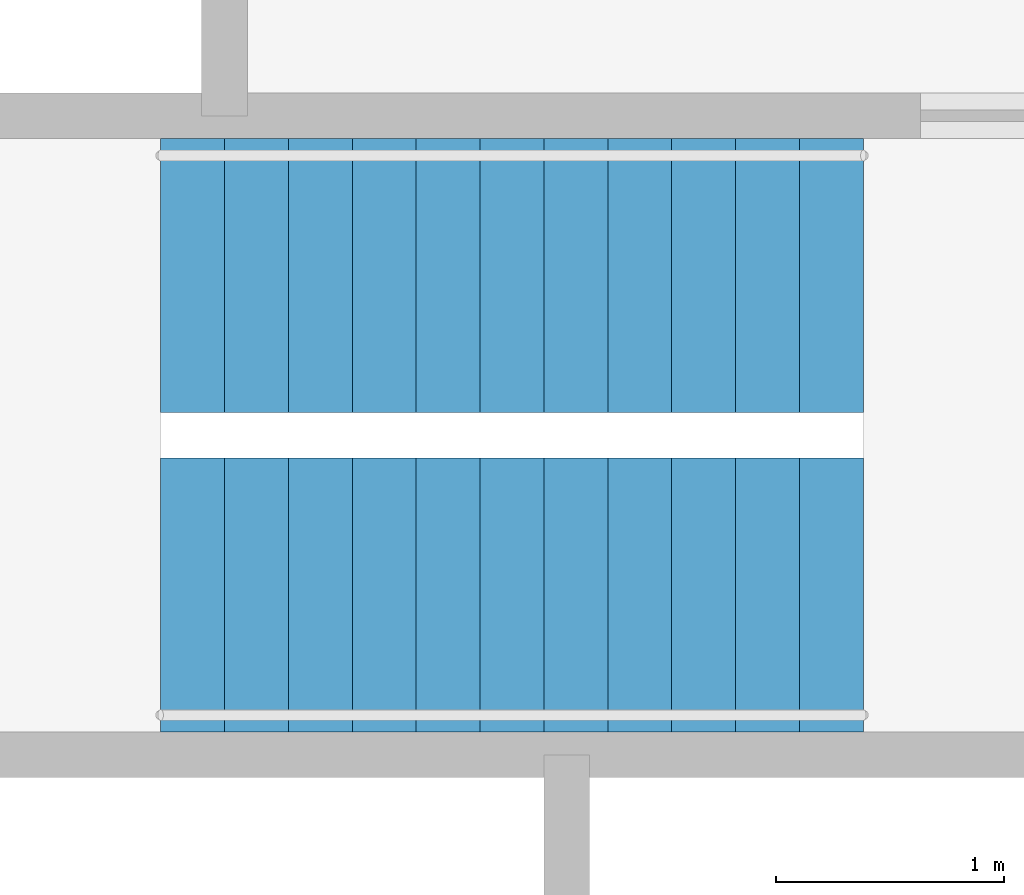
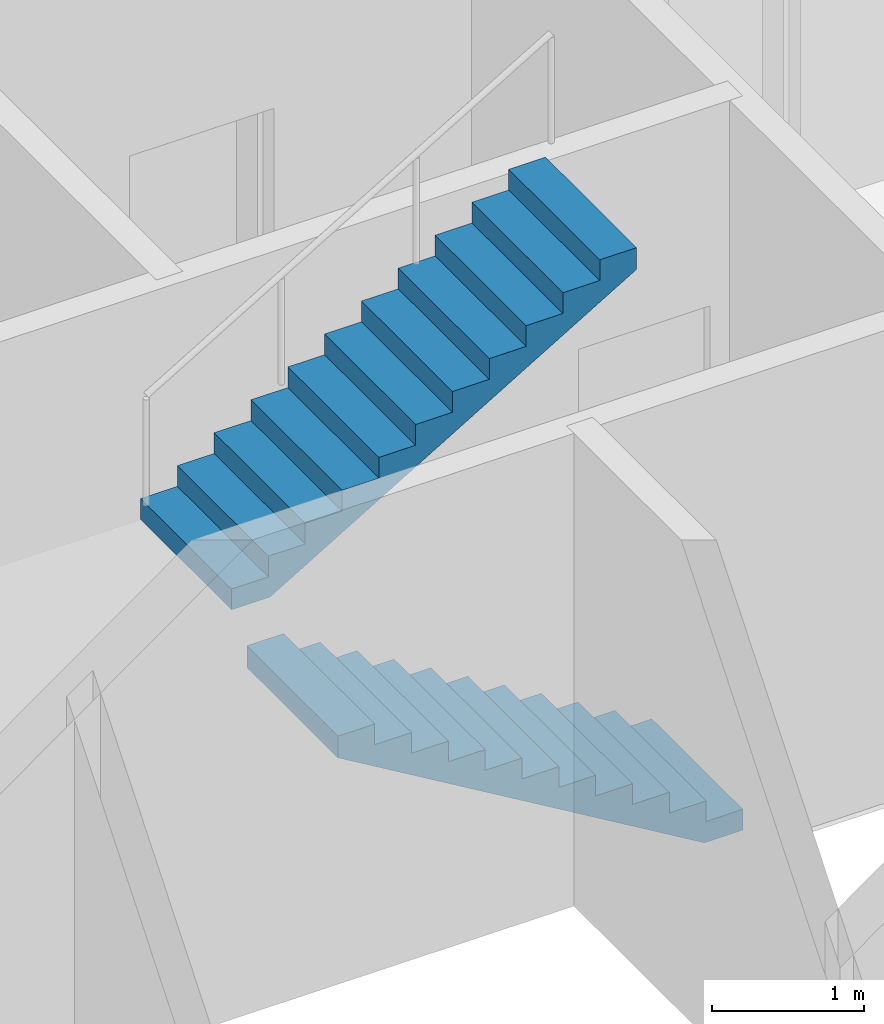
# One storey, part 12 of 14: 2 stair flights, 1 element without a shape of its own.
"""IFC4 building model written with IfcOpenShell, lengths in metres."""

import ifcopenshell
import ifcopenshell.guid

model = None  # the IFC model being written
_history = None  # IfcOwnerHistory: only IFC2X3 demands one
_inside = {}  # id of a spatial element -> (the spatial element, [elements in it])
_under = {}  # id of a project, library or spatial element -> (it, [spatial elements below it])
_declared = {}  # id of a project -> (the project, [libraries it declares])
_typed = {}  # id of a type object -> (the type object, [elements of that type])
_made_of = {}  # id of a material, layer set ... -> (it, [elements and type objects made of it])


def new_model(schema):
    """Start an empty IFC model of exactly this schema.

    Asked for "IFC4X3", IfcOpenShell would pick the latest addendum, in which some entities
    have other attributes; the version numbers below select the first issue.
    IFC2X3 requires an IfcOwnerHistory on every rooted entity: one is made here for all.
    """
    global model, _history
    if schema == "IFC4X3":
        model = ifcopenshell.file(schema_version=(4, 3, 0, 0))
    else:
        model = ifcopenshell.file(schema=schema)
    _inside.clear()
    _under.clear()
    _declared.clear()
    _typed.clear()
    _made_of.clear()
    _history = None
    if model.schema == "IFC2X3":
        org = make("IfcOrganization", Name="unknown")
        user = make(
            "IfcPersonAndOrganization",
            ThePerson=make("IfcPerson", FamilyName="unknown"),
            TheOrganization=org,
        )
        app = make(
            "IfcApplication",
            ApplicationDeveloper=org,
            Version="unknown",
            ApplicationFullName="unknown",
            ApplicationIdentifier="unknown",
        )
        _history = make(
            "IfcOwnerHistory",
            OwningUser=user,
            OwningApplication=app,
            ChangeAction="ADDED",
            CreationDate=0,
        )
    return model


def make(cls, **values):
    """One entity of the class cls with the attributes given. An attribute that is None is left unset."""
    return model.create_entity(
        cls, **{name: value for name, value in values.items() if value is not None}
    )


def rooted(cls, **values):
    """An entity with a GlobalId (a new one), such as an element, a storey or a relation."""
    return make(cls, GlobalId=ifcopenshell.guid.new(), OwnerHistory=_history, **values)


def si_unit(unit_type, name, prefix=None):
    """IfcSIUnit, for example si_unit("LENGTHUNIT", "METRE", prefix="MILLI")."""
    return make("IfcSIUnit", UnitType=unit_type, Prefix=prefix, Name=name)


def assignment(units):
    """IfcUnitAssignment: the units of a project."""
    return None if units is None else make("IfcUnitAssignment", Units=units)


def point(xyz):
    """IfcCartesianPoint."""
    return None if xyz is None else make("IfcCartesianPoint", Coordinates=xyz)


def direction(xyz):
    """IfcDirection."""
    return None if xyz is None else make("IfcDirection", DirectionRatios=xyz)


def frame(location, z_axis=None, x_axis=None):
    """IfcAxis2Placement3D, a coordinate frame: its origin and axes. An axis left out is left unset."""
    return make(
        "IfcAxis2Placement3D",
        Location=point(location),
        Axis=direction(z_axis),
        RefDirection=direction(x_axis),
    )


def origin():
    """The frame at (0, 0, 0) with its axes left unset."""
    return frame((0.0, 0.0, 0.0))


def place(relative_to, where):
    """IfcLocalPlacement: puts the frame where relative to a parent placement (None: the world)."""
    return make(
        "IfcLocalPlacement", PlacementRelTo=relative_to, RelativePlacement=where
    )


def context(
    kind, dimensions, precision=None, world=None, true_north=None, identifier=None
):
    """IfcGeometricRepresentationContext, for example the 3D "Model" context."""
    return make(
        "IfcGeometricRepresentationContext",
        ContextIdentifier=identifier,
        ContextType=kind,
        CoordinateSpaceDimension=dimensions,
        Precision=precision,
        WorldCoordinateSystem=world,
        TrueNorth=true_north,
    )


def subcontext(parent, identifier, kind, view, scale=None):
    """IfcGeometricRepresentationSubContext, for example "Body" below "Model"."""
    return make(
        "IfcGeometricRepresentationSubContext",
        ContextIdentifier=identifier,
        ContextType=kind,
        ParentContext=parent,
        TargetScale=scale,
        TargetView=view,
    )


def project(units=None, contexts=None):
    """IfcProject with its units and contexts."""
    return rooted(
        "IfcProject",
        Name="project",
        RepresentationContexts=contexts,
        UnitsInContext=assignment(units),
    )


def spatial(cls, under=None, at=None, **own):
    """A site, building, storey or space (cls), placed at a placement, below another one or the project."""
    s = rooted(cls, ObjectPlacement=at, **own)
    if under is not None:
        _under.setdefault(under.id(), (under, []))[1].append(s)
    return s


def polyline(points):
    """IfcPolyline through the points."""
    return make("IfcPolyline", Points=[point(p) for p in points])


def outline(outer, holes=None, kind="AREA"):
    """IfcArbitraryClosedProfileDef: a profile drawn as a closed curve; with holes, ...WithVoids."""
    if holes is None:
        return make("IfcArbitraryClosedProfileDef", ProfileType=kind, OuterCurve=outer)
    return make(
        "IfcArbitraryProfileDefWithVoids",
        ProfileType=kind,
        OuterCurve=outer,
        InnerCurves=holes,
    )


def extrude(swept, where, along, depth):
    """IfcExtrudedAreaSolid: the profile swept, set in the frame where, extruded along a direction by depth."""
    return make(
        "IfcExtrudedAreaSolid",
        SweptArea=swept,
        Position=where,
        ExtrudedDirection=direction(along),
        Depth=depth,
    )


def shape(context_of_items, identifier, shape_type, items):
    """IfcShapeRepresentation: the items that make up one representation, for example the "Body"."""
    return make(
        "IfcShapeRepresentation",
        ContextOfItems=context_of_items,
        RepresentationIdentifier=identifier,
        RepresentationType=shape_type,
        Items=items,
    )


def material(Name=None, Category=None):
    """IfcMaterial."""
    return make("IfcMaterial", Name=Name, Category=Category)


def made_of(thing, what):
    """Note that an element or type object is made of a material, layer set ...; save() writes the relation."""
    if what is not None:
        _made_of.setdefault(what.id(), (what, []))[1].append(thing)
    return thing


def type_object(cls, material=None, **own):
    """A type object (cls), such as IfcWallType, which elements share."""
    return made_of(rooted(cls, **own), material)


def element(
    cls,
    number,
    at=None,
    inside=None,
    cuts=None,
    type_object=None,
    material=None,
    context=None,
    identifier="Body",
    shape_type=None,
    held_by="IfcProductDefinitionShape",
    body=None,
    shapes=None,
    **own,
):
    """One element of the class cls, such as IfcWall. Its Tag is "e" and its number.

    at: its placement. inside: the storey or other place that contains it. cuts: it is an
    opening in that element (IfcRelVoidsElement). A single representation is given by context,
    identifier, shape_type and body (its items); several are given by shapes. held_by: the class
    of the entity that holds the representations. save() writes the other relations.
    """
    e = rooted(cls, Tag="e%d" % number, ObjectPlacement=at, **own)
    if body is not None:
        shapes = [shape(context, identifier, shape_type, body)]
    if shapes is not None:
        e.Representation = make(held_by, Representations=shapes)
    if inside is not None:
        _inside.setdefault(inside.id(), (inside, []))[1].append(e)
    if cuts is not None:
        rooted(
            "IfcRelVoidsElement", RelatingBuildingElement=cuts, RelatedOpeningElement=e
        )
    if type_object is not None:
        _typed.setdefault(type_object.id(), (type_object, []))[1].append(e)
    return made_of(e, material)


def aggregate(whole, parts):
    """IfcRelAggregates: a whole, such as a stair, and the parts it consists of."""
    return rooted("IfcRelAggregates", RelatingObject=whole, RelatedObjects=parts)


def save(model, path):
    """Write the relations noted so far, then the file.

    IfcRelAggregates (storeys below a building ...), IfcRelContainedInSpatialStructure (elements
    in a storey), IfcRelDefinesByType, IfcRelAssociatesMaterial and IfcRelDeclares: one each for
    every whole, place, type object, material and project.
    """
    for whole, parts in _under.values():
        aggregate(whole, parts)
    for where, things in _inside.values():
        rooted(
            "IfcRelContainedInSpatialStructure",
            RelatedElements=things,
            RelatingStructure=where,
        )
    for kind, things in _typed.values():
        rooted("IfcRelDefinesByType", RelatedObjects=things, RelatingType=kind)
    for what, things in _made_of.values():
        rooted("IfcRelAssociatesMaterial", RelatedObjects=things, RelatingMaterial=what)
    for by, libraries in _declared.values():
        rooted("IfcRelDeclares", RelatingContext=by, RelatedDefinitions=libraries)
    model.write(path)


model = new_model("IFC4")

# Units and contexts
model_context = context("Model", 3, precision=1e-05, world=origin(), true_north=direction((0.0, 1.0)))
body_context = subcontext(model_context, "Body", "Model", "MODEL_VIEW")
ifc_project = project(units=[si_unit("LENGTHUNIT", "METRE"), si_unit("AREAUNIT", "SQUARE_METRE"), si_unit("VOLUMEUNIT", "CUBIC_METRE"), si_unit("PLANEANGLEUNIT", "RADIAN"), si_unit("MASSUNIT", "GRAM", prefix="KILO")], contexts=[model_context])

# Site, building, storey
site_placement = place(None, origin())
site = spatial("IfcSite", under=ifc_project, at=site_placement, CompositionType="ELEMENT")
building_placement = place(site_placement, origin())
building = spatial("IfcBuilding", under=site, at=building_placement, Name="Fenwick Lantern Interchange", CompositionType="ELEMENT")
storey_placement = place(building_placement, frame((0.0, 0.0, 59.0)))
storey = spatial("IfcBuildingStorey", under=building, at=storey_placement, Name="L13", CompositionType="ELEMENT", Elevation=59.0)

# Stair, stair flights
ifc_material = material(Name="Precast concrete f'c 35 MPa", Category="concrete")
stair_type = type_object("IfcStairType", Name="EXIT STAIR 1200", PredefinedType="HALF_TURN_STAIR", material=ifc_material)
stair_placement = place(storey_placement, origin())
stair = element("IfcStair", 1, at=stair_placement, inside=storey, type_object=stair_type, Name="Exit stair ST2", PredefinedType="HALF_TURN_STAIR")
stair_flight_type = type_object("IfcStairFlightType", Name="STAIR FLIGHT 1200", PredefinedType="STRAIGHT", material=ifc_material)
stair_flight_1_placement = place(storey_placement, frame((28.199951171875, 30.699951171875, 0.0), z_axis=(0.0, 0.0, 1.0), x_axis=(-1.0, 0.0, 0.0)))
stair_flight_1 = element("IfcStairFlight", 2, at=stair_flight_1_placement, type_object=stair_flight_type, Name="ST2 flight 1", NumberOfRisers=12, NumberOfTreads=11, PredefinedType="STRAIGHT", RiserHeight=0.166666667, TreadLength=0.28, context=body_context, shape_type="SweptSolid", body=[
    extrude(outline(polyline([(0.0, 0.0), (0.0, 0.166748046875), (0.280029296875, 0.166748046875), (0.280029296875, 0.333251953125), (0.56005859375, 0.333251953125), (0.56005859375, 0.5), (0.840087890625, 0.5), (0.840087890625, 0.666748046875), (1.1201171875, 0.666748046875), (1.1201171875, 0.833251953125), (1.39990234375, 0.833251953125), (1.39990234375, 1.0), (1.679931640625, 1.0), (1.679931640625, 1.166748046875), (1.9599609375, 1.166748046875), (1.9599609375, 1.333251953125), (2.239990234375, 1.333251953125), (2.239990234375, 1.5), (2.52001953125, 1.5), (2.52001953125, 1.666748046875), (2.800048828125, 1.666748046875), (2.800048828125, 1.833251953125), (3.080078125, 1.833251953125), (3.080078125, 2.0), (3.080078125, 1.658935546875), (0.29296875, 0.0), (0.0, 0.0)])), frame((0.0, 0.60009765625, 0.0), z_axis=(0.0, -1.0, 0.0), x_axis=(1.0, 0.0, 0.0)), (0.0, 0.0, 1.0), 1.199951171875),
])
stair_flight_2_placement = place(storey_placement, frame((25.1201171875, 32.10009765625, 2.0), z_axis=(0.0, 0.0, 1.0), x_axis=(1.0, 0.0, 0.0)))
stair_flight_2 = element("IfcStairFlight", 3, at=stair_flight_2_placement, type_object=stair_flight_type, Name="ST2 flight 2", NumberOfRisers=12, NumberOfTreads=11, PredefinedType="STRAIGHT", RiserHeight=0.166666667, TreadLength=0.28, context=body_context, shape_type="SweptSolid", body=[
    extrude(outline(polyline([(0.0, 0.0), (0.0, 0.166748046875), (0.280029296875, 0.166748046875), (0.280029296875, 0.333251953125), (0.56005859375, 0.333251953125), (0.56005859375, 0.5), (0.840087890625, 0.5), (0.840087890625, 0.666748046875), (1.1201171875, 0.666748046875), (1.1201171875, 0.833251953125), (1.39990234375, 0.833251953125), (1.39990234375, 1.0), (1.679931640625, 1.0), (1.679931640625, 1.166748046875), (1.9599609375, 1.166748046875), (1.9599609375, 1.333251953125), (2.239990234375, 1.333251953125), (2.239990234375, 1.5), (2.52001953125, 1.5), (2.52001953125, 1.666748046875), (2.800048828125, 1.666748046875), (2.800048828125, 1.833251953125), (3.080078125, 1.833251953125), (3.080078125, 2.0), (3.080078125, 1.658935546875), (0.29296875, 0.0), (0.0, 0.0)])), frame((0.0, 0.60009765625, 0.0), z_axis=(0.0, -1.0, 0.0), x_axis=(1.0, 0.0, 0.0)), (0.0, 0.0, 1.0), 1.199951171875),
])
aggregate(stair, [stair_flight_1, stair_flight_2])

save(model, "model.ifc")
